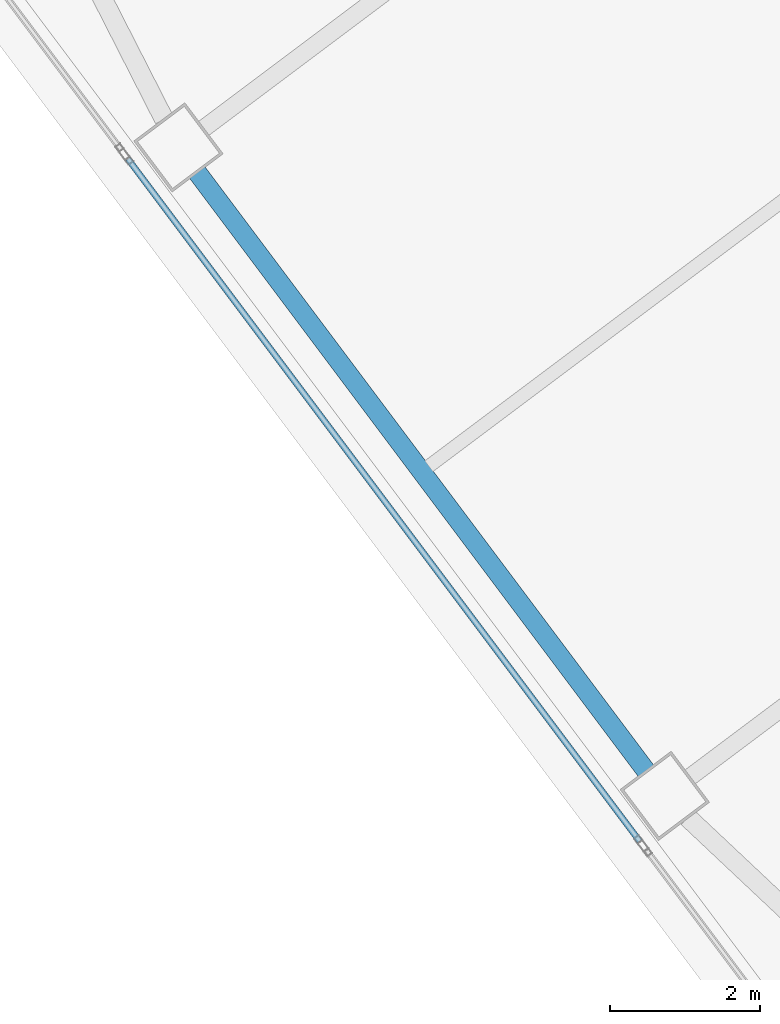
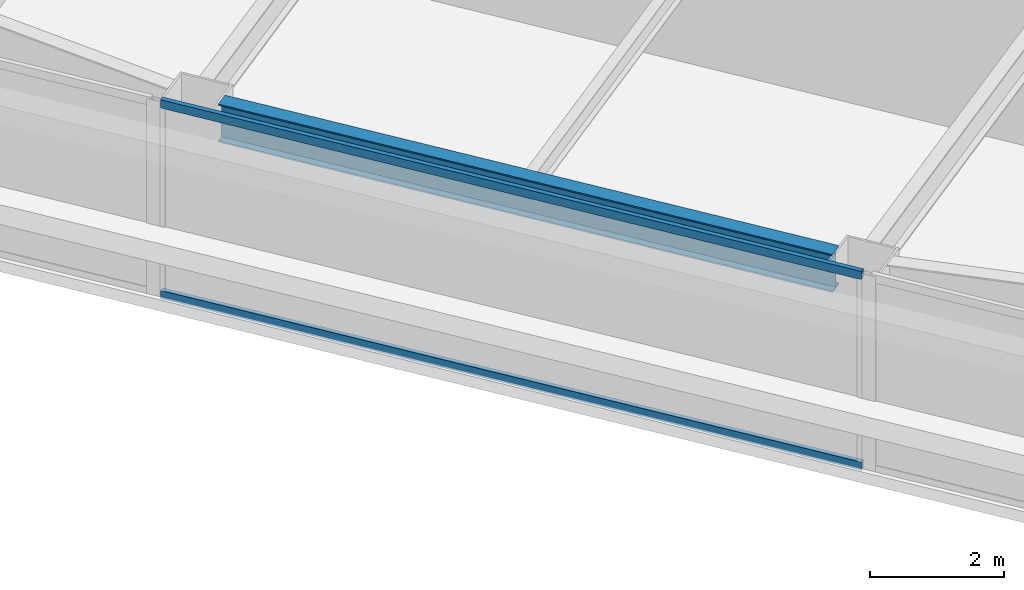
# One storey, part 19 of 48: 2 members, 1 beam, 1 element without a shape of its own.
"""IFC4 building model written with IfcOpenShell, lengths in metres."""

from ifc_helpers import new_model, si_unit, direction, frame, origin, origin_2d, place, context, subcontext, project, spatial, hollow_rectangle, i_section, extrude, material, material_profile, profile_set, type_object, element, aggregate, save


model = new_model("IFC4")

# Units and contexts
model_context = context("Model", 3, precision=1e-05, world=origin(), true_north=direction((0.0, 1.0)))
body_context = subcontext(model_context, "Body", "Model", "MODEL_VIEW")
ifc_project = project(units=[si_unit("LENGTHUNIT", "METRE"), si_unit("AREAUNIT", "SQUARE_METRE"), si_unit("VOLUMEUNIT", "CUBIC_METRE"), si_unit("PLANEANGLEUNIT", "RADIAN"), si_unit("MASSUNIT", "GRAM", prefix="KILO")], contexts=[model_context])

# Site, building, storey
site_placement = place(None, origin())
site = spatial("IfcSite", under=ifc_project, at=site_placement, CompositionType="ELEMENT")
building_placement = place(site_placement, origin())
building = spatial("IfcBuilding", under=site, at=building_placement, Name="Tashvorn Skyway Center", CompositionType="ELEMENT")
storey_placement = place(building_placement, frame((0.0, 0.0, 77.85009765625)))
storey = spatial("IfcBuildingStorey", under=building, at=storey_placement, Name="L20", CompositionType="ELEMENT", Elevation=77.85009765625)

# Beam
ifc_material_1 = material(Name="Steel ASTM A992 Grade 50", Category="steel")
ifc_material_profile_1 = material_profile(ifc_material_1, i_section(OverallWidth=0.256103515625, OverallDepth=0.693115234375, WebThickness=0.014404296875, FlangeThickness=0.023681640625, at=origin_2d()), Name="W27X114")
ifc_profile_set_1 = profile_set([ifc_material_profile_1], Name="Steel ASTM A992 Grade 50")
beam_type = type_object("IfcBeamType", Name="BM-SPANDREL-W27X114", PredefinedType="SPANDREL", material=ifc_profile_set_1)
beam_placement = place(storey_placement, frame((95.612060546875, 24.43408203125, 3.00341796875), z_axis=(0.599988234018, -0.800008824351, 0.0), x_axis=(0.800008824351, 0.599988234018, 0.0)))
element("IfcBeam", 1, at=beam_placement, inside=storey, type_object=beam_type, Name="Tower 2 L20 Spandrel Beam 11", PredefinedType="SPANDREL", context=body_context, shape_type="SweptSolid", body=[
    extrude(i_section(OverallWidth=0.256103515625, OverallDepth=0.693115234375, WebThickness=0.014404296875, FlangeThickness=0.023681640625, at=origin_2d()), origin(), (0.0, 0.0, 1.0), 9.9599609375),
])

# Curtain wall, members
ifc_material_2 = material(Name="Thermally broken bronze-anodized aluminium 6063-T6", Category="aluminium")
curtain_wall_type = type_object("IfcCurtainWallType", Name="CW-CW-Z2", PredefinedType="NOTDEFINED", material=ifc_material_2)
curtain_wall_placement = place(storey_placement, origin())
curtain_wall = element("IfcCurtainWall", 2, at=curtain_wall_placement, inside=storey, type_object=curtain_wall_type, Name="Tower 2 L20 West Unitised Curtain Wall Glazing Group 3", PredefinedType="NOTDEFINED")
ifc_material_profile_2 = material_profile(ifc_material_2, hollow_rectangle(XDim=0.080078125, YDim=0.14990234375, WallThickness=0.00439453125, at=origin_2d()), Name="ALU-TRAN-80x150")
ifc_profile_set_2 = profile_set([ifc_material_profile_2], Name="Thermally broken bronze-anodized aluminium 6063-T6")
member_type = type_object("IfcMemberType", Name="CWT-CW-Z2", PredefinedType="USERDEFINED", material=ifc_profile_set_2)
member_1_placement = place(storey_placement, frame((101.50390625, 15.528076171875, 0.039794921875), z_axis=(-0.6, 0.8, 0.0), x_axis=(-0.8, -0.6, 0.0)))
member_1 = element("IfcMember", 3, at=member_1_placement, type_object=member_type, Name="CW-Z2 transom 1.1", ObjectType="TRANSOM", PredefinedType="USERDEFINED", context=body_context, shape_type="SweptSolid", body=[
    extrude(hollow_rectangle(XDim=0.080078125, YDim=0.14990234375, WallThickness=0.00439453125, at=origin_2d()), origin(), (0.0, 0.0, 1.0), 11.35986328125),
])
member_2_placement = place(storey_placement, frame((101.50390625, 15.528076171875, 3.510009765625), z_axis=(-0.6, 0.8, 0.0), x_axis=(-0.8, -0.6, 0.0)))
member_2 = element("IfcMember", 4, at=member_2_placement, type_object=member_type, Name="CW-Z2 transom 1.2", ObjectType="TRANSOM", PredefinedType="USERDEFINED", context=body_context, shape_type="SweptSolid", body=[
    extrude(hollow_rectangle(XDim=0.080078125, YDim=0.14990234375, WallThickness=0.00439453125, at=origin_2d()), origin(), (0.0, 0.0, 1.0), 11.35986328125),
])
aggregate(curtain_wall, [member_1, member_2])

save(model, "model.ifc")
